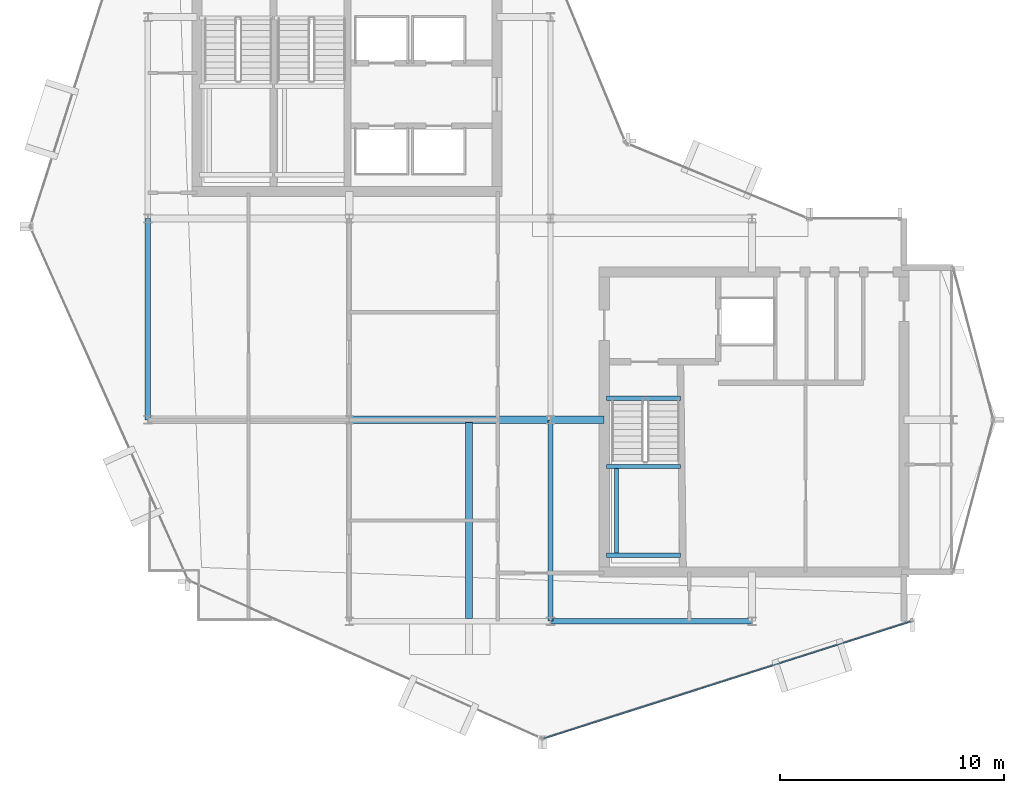
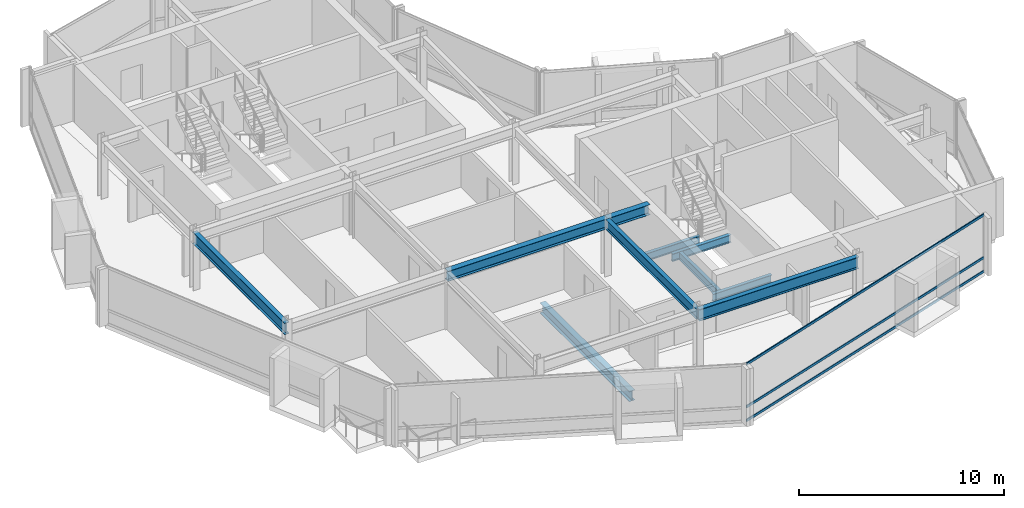
# One storey, part 5 of 19: 10 beams, 3 members, 1 element without a shape of its own.
"""IFC4 building model written with IfcOpenShell, lengths in metres."""

from ifc_helpers import new_model, si_unit, direction, frame, origin, origin_2d, place, context, subcontext, project, spatial, hollow_rectangle, i_section, extrude, material, layer, layer_set, material_profile, profile_set, type_object, element, aggregate, save


model = new_model("IFC4")

# Units and contexts
model_context = context("Model", 3, precision=1e-05, world=origin(), true_north=direction((0.0, 1.0)))
body_context = subcontext(model_context, "Body", "Model", "MODEL_VIEW")
ifc_project = project(units=[si_unit("LENGTHUNIT", "METRE"), si_unit("AREAUNIT", "SQUARE_METRE"), si_unit("VOLUMEUNIT", "CUBIC_METRE"), si_unit("PLANEANGLEUNIT", "RADIAN"), si_unit("MASSUNIT", "GRAM", prefix="KILO")], contexts=[model_context])

# Site, building, storey
site_placement = place(None, origin())
site = spatial("IfcSite", under=ifc_project, at=site_placement, CompositionType="ELEMENT")
building_placement = place(site_placement, origin())
building = spatial("IfcBuilding", under=site, at=building_placement, Name="Solvaryn Broadcast Tower", CompositionType="ELEMENT")
storey_placement = place(building_placement, frame((0.0, 0.0, 290.0)))
storey = spatial("IfcBuildingStorey", under=building, at=storey_placement, Name="L73", CompositionType="ELEMENT", Elevation=290.0)

# Beams
ifc_material_1 = material(Name="Steel ASTM A992 Grade 50", Category="steel")
ifc_material_profile_1 = material_profile(ifc_material_1, i_section(OverallWidth=0.323974609375, OverallDepth=0.611083984375, WebThickness=0.0126953125, FlangeThickness=0.01904296875, FilletRadius=0.014892578125, at=origin_2d()))
ifc_profile_set_1 = profile_set([ifc_material_profile_1], Name="Steel ASTM A992 Grade 50")
beam_type_1 = type_object("IfcBeamType", Name="BM-B1-W24X104", PredefinedType="BEAM", material=ifc_profile_set_1)
beam_1_placement = place(storey_placement, frame((23.35009765625, 17.875, -0.58544921875), z_axis=(0.0, -1.0, 0.0), x_axis=(1.0, 0.0, 0.0)))
element("IfcBeam", 1, at=beam_1_placement, inside=storey, type_object=beam_type_1, Name="L73 Bay-Box Back-Span Beam 1", PredefinedType="BEAM", context=body_context, shape_type="SweptSolid", body=[
    extrude(i_section(OverallWidth=0.323974609375, OverallDepth=0.611083984375, WebThickness=0.0126953125, FlangeThickness=0.01904296875, FilletRadius=0.014892578125, at=origin_2d()), origin(), (0.0, 0.0, 1.0), 8.75),
])
beam_2_placement = place(storey_placement, frame((18.0, 18.0, 3.114501953125), z_axis=(1.0, 0.0, 0.0), x_axis=(0.0, 1.0, 0.0)))
element("IfcBeam", 2, at=beam_2_placement, inside=storey, type_object=beam_type_1, Name="L73 Primary Beam X (18-27 @ Y=18)", PredefinedType="BEAM", context=body_context, shape_type="SweptSolid", body=[
    extrude(i_section(OverallWidth=0.323974609375, OverallDepth=0.611083984375, WebThickness=0.0126953125, FlangeThickness=0.01904296875, FilletRadius=0.014892578125, at=origin_2d()), origin(), (0.0, 0.0, 1.0), 9.0),
])
beam_3_placement = place(storey_placement, frame((27.0, 18.0, 3.114501953125), z_axis=(1.0, 0.0, 0.0), x_axis=(0.0, 1.0, 0.0)))
element("IfcBeam", 3, at=beam_3_placement, inside=storey, type_object=beam_type_1, Name="L73 Core Tie Beam CTE4", PredefinedType="BEAM", context=body_context, shape_type="SweptSolid", body=[
    extrude(i_section(OverallWidth=0.323974609375, OverallDepth=0.611083984375, WebThickness=0.0126953125, FlangeThickness=0.01904296875, FilletRadius=0.014892578125, at=origin_2d()), origin(), (0.0, 0.0, 1.0), 2.39990234375),
])
ifc_material_2 = material(Name="Steel ASTM A992 Grade 50", Category="steel")
ifc_material_profile_2 = material_profile(ifc_material_2, i_section(OverallWidth=0.22802734375, OverallDepth=0.60791015625, WebThickness=0.01123046875, FlangeThickness=0.017333984375, FilletRadius=0.014892578125, at=origin_2d()))
ifc_profile_set_2 = profile_set([ifc_material_profile_2], Name="Steel ASTM A992 Grade 50")
beam_type_2 = type_object("IfcBeamType", Name="BM-B2-W24X76", PredefinedType="BEAM", material=ifc_profile_set_2)
beam_4_placement = place(storey_placement, frame((27.0, 9.0, 3.115966796875), z_axis=(0.0, 1.0, 0.0), x_axis=(-1.0, 0.0, 0.0)))
element("IfcBeam", 4, at=beam_4_placement, inside=storey, type_object=beam_type_2, Name="L73 Primary Beam Y (9-18 @ X=27)", PredefinedType="BEAM", context=body_context, shape_type="SweptSolid", body=[
    extrude(i_section(OverallWidth=0.22802734375, OverallDepth=0.60791015625, WebThickness=0.01123046875, FlangeThickness=0.017333984375, FilletRadius=0.014892578125, at=origin_2d()), origin(), (0.0, 0.0, 1.0), 9.0),
])
ifc_material_3 = material(Name="Steel ASTM A992 Grade 50", Category="steel")
ifc_material_profile_3 = material_profile(ifc_material_3, i_section(OverallWidth=0.18994140625, OverallDepth=0.45703125, WebThickness=0.009033203125, FlangeThickness=0.014404296875, FilletRadius=0.011962890625, at=origin_2d()))
ifc_profile_set_3 = profile_set([ifc_material_profile_3], Name="Steel ASTM A992 Grade 50")
beam_type_3 = type_object("IfcBeamType", Name="BM-B4-W18X50", PredefinedType="BEAM", material=ifc_profile_set_3)
for number, where, z_axis, x_axis, name in (
    (5, (29.5, 18.9599609375, -0.508544921875), (1.0, 0.0, 0.0), (0.0, 1.0, 0.0), "L73 ST3 Stair Well Trimmer Beam"),
    (6, (29.5, 11.949951171875, 1.42138671875), (1.0, 0.0, 0.0), (0.0, 1.0, 0.0), "L73 ST3 Landing Support Beam 1A"),
    (7, (29.5, 15.909912109375, 1.42138671875), (1.0, 0.0, 0.0), (0.0, 1.0, 0.0), "L73 ST3 Landing Support Beam 1B"),
):
    element("IfcBeam", number, at=place(storey_placement, frame(where, z_axis=z_axis, x_axis=x_axis)), inside=storey, type_object=beam_type_3, Name=name, PredefinedType="BEAM", context=body_context, shape_type="SweptSolid", body=[
        extrude(i_section(OverallWidth=0.18994140625, OverallDepth=0.45703125, WebThickness=0.009033203125, FlangeThickness=0.014404296875, FilletRadius=0.011962890625, at=origin_2d()), origin(), (0.0, 0.0, 1.0), 3.320068359375),
    ])
beam_5_placement = place(storey_placement, frame((29.949951171875, 11.949951171875, 1.42138671875), z_axis=(0.0, 1.0, 0.0), x_axis=(-1.0, 0.0, 0.0)))
element("IfcBeam", 8, at=beam_5_placement, inside=storey, type_object=beam_type_3, Name="L73 ST3 Landing Cross Stringer 1C", PredefinedType="BEAM", context=body_context, shape_type="SweptSolid", body=[
    extrude(i_section(OverallWidth=0.18994140625, OverallDepth=0.45703125, WebThickness=0.009033203125, FlangeThickness=0.014404296875, FilletRadius=0.011962890625, at=origin_2d()), origin(), (0.0, 0.0, 1.0), 3.9599609375),
])
ifc_material_4 = material(Name="Steel ASTM A992 Grade 50", Category="steel")
ifc_material_profile_4 = material_profile(ifc_material_4, i_section(OverallWidth=0.256103515625, OverallDepth=0.693115234375, WebThickness=0.014404296875, FlangeThickness=0.023681640625, FilletRadius=0.01611328125, at=origin_2d()))
ifc_profile_set_4 = profile_set([ifc_material_profile_4], Name="Steel ASTM A992 Grade 50")
beam_type_4 = type_object("IfcBeamType", Name="BM-SP3-W27X114", PredefinedType="USERDEFINED", material=ifc_profile_set_4)
for number, where, z_axis, x_axis, name in (
    (9, (27.0, 9.0, 3.073486328125), (1.0, 0.0, 0.0), (0.0, 1.0, 0.0), "L73 Spandrel Beam X (27-36 @ Y=9)"),
    (10, (9.0, 18.0, 3.073486328125), (0.0, 1.0, 0.0), (-1.0, 0.0, 0.0), "L73 Spandrel Beam Y (18-27 @ X=9)"),
):
    element("IfcBeam", number, at=place(storey_placement, frame(where, z_axis=z_axis, x_axis=x_axis)), inside=storey, type_object=beam_type_4, Name=name, ObjectType="SPANDREL", PredefinedType="USERDEFINED", context=body_context, shape_type="SweptSolid", body=[
        extrude(i_section(OverallWidth=0.256103515625, OverallDepth=0.693115234375, WebThickness=0.014404296875, FlangeThickness=0.023681640625, FilletRadius=0.01611328125, at=origin_2d()), origin(), (0.0, 0.0, 1.0), 9.0),
    ])

# Curtain wall, members
ifc_material_5 = material(Name="Aluminium and Terracotta Unitised Curtain Wall", Category="masonry")
ifc_layer = layer(ifc_material_5, 0.199951171875)
ifc_layer_set = layer_set([ifc_layer], Name="CW-SYS2-LOWMID")
curtain_wall_type = type_object("IfcCurtainWallType", Name="CW-SYS2-LOWMID", PredefinedType="NOTDEFINED", material=ifc_layer_set)
curtain_wall_placement = place(storey_placement, origin())
curtain_wall = element("IfcCurtainWall", 11, at=curtain_wall_placement, inside=storey, type_object=curtain_wall_type, Name="L73 Curtain Wall DR4", PredefinedType="NOTDEFINED")
ifc_material_6 = material(Name="Anodised Aluminium 6063-T6", Category="aluminium")
ifc_material_profile_5 = material_profile(ifc_material_6, hollow_rectangle(XDim=0.06494140625, YDim=0.14990234375, WallThickness=0.00390625, InnerFilletRadius=0.00390625, OuterFilletRadius=0.008056640625, at=origin_2d()))
ifc_profile_set_5 = profile_set([ifc_material_profile_5], Name="Anodised Aluminium 6063-T6")
member_type = type_object("IfcMemberType", Name="CW-TRN-150", PredefinedType="USERDEFINED", material=ifc_profile_set_5)
member_1_placement = place(storey_placement, frame((26.693115234375, 3.756103515625, 0.030029296875), z_axis=(0.952794352661, 0.303616405252, 0.0), x_axis=(-0.303616405252, 0.952794352661, 0.0)))
member_1 = element("IfcMember", 12, at=member_1_placement, type_object=member_type, Name="CWS2 transom 1.1", ObjectType="TRANSOM", PredefinedType="USERDEFINED", context=body_context, shape_type="SweptSolid", body=[
    extrude(hollow_rectangle(XDim=0.06494140625, YDim=0.14990234375, WallThickness=0.00390625, InnerFilletRadius=0.00390625, OuterFilletRadius=0.008056640625, at=origin_2d()), origin(), (0.0, 0.0, 1.0), 17.211181640625),
])
member_2_placement = place(storey_placement, frame((26.693115234375, 3.756103515625, 0.85009765625), z_axis=(0.952794352661, 0.303616405252, 0.0), x_axis=(-0.303616405252, 0.952794352661, 0.0)))
member_2 = element("IfcMember", 13, at=member_2_placement, type_object=member_type, Name="CWS2 transom 1.2", ObjectType="TRANSOM", PredefinedType="USERDEFINED", context=body_context, shape_type="SweptSolid", body=[
    extrude(hollow_rectangle(XDim=0.06494140625, YDim=0.14990234375, WallThickness=0.00390625, InnerFilletRadius=0.00390625, OuterFilletRadius=0.008056640625, at=origin_2d()), origin(), (0.0, 0.0, 1.0), 17.211181640625),
])
member_3_placement = place(storey_placement, frame((26.693115234375, 3.756103515625, 3.389892578125), z_axis=(0.952794352661, 0.303616405252, 0.0), x_axis=(-0.303616405252, 0.952794352661, 0.0)))
member_3 = element("IfcMember", 14, at=member_3_placement, type_object=member_type, Name="CWS2 transom 1.3", ObjectType="TRANSOM", PredefinedType="USERDEFINED", context=body_context, shape_type="SweptSolid", body=[
    extrude(hollow_rectangle(XDim=0.06494140625, YDim=0.14990234375, WallThickness=0.00390625, InnerFilletRadius=0.00390625, OuterFilletRadius=0.008056640625, at=origin_2d()), origin(), (0.0, 0.0, 1.0), 17.211181640625),
])
aggregate(curtain_wall, [member_1, member_2, member_3])

save(model, "model.ifc")
